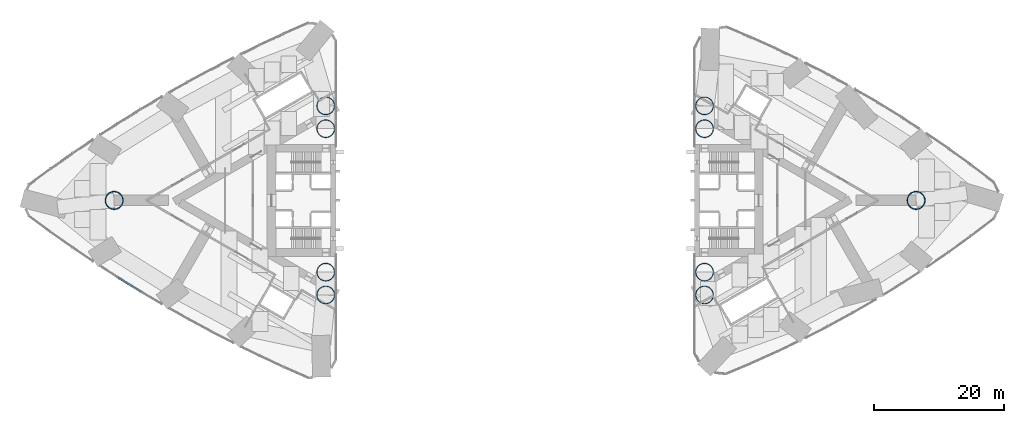
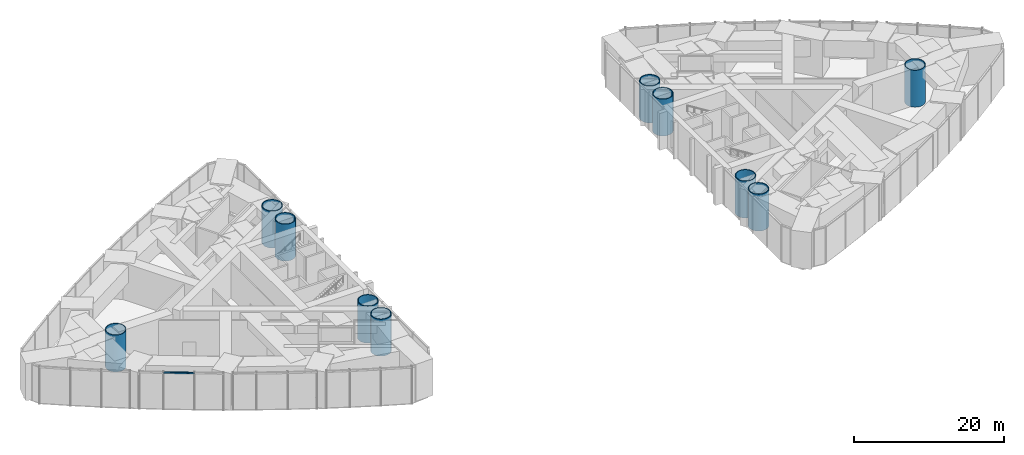
# One storey, part 1 of 18: 10 columns, 1 member, 1 element without a shape of its own.
"""IFC4 building model written with IfcOpenShell, lengths in metres."""

from ifc_helpers import new_model, si_unit, direction, frame, origin, origin_2d, place, context, subcontext, project, spatial, rectangle, hollow_circle, extrude, material, material_profile, profile_set, type_object, element, aggregate, save


model = new_model("IFC4")

# Units and contexts
model_context = context("Model", 3, precision=1e-05, world=origin(), true_north=direction((0.0, 1.0)))
body_context = subcontext(model_context, "Body", "Model", "MODEL_VIEW")
ifc_project = project(units=[si_unit("LENGTHUNIT", "METRE"), si_unit("AREAUNIT", "SQUARE_METRE"), si_unit("VOLUMEUNIT", "CUBIC_METRE"), si_unit("PLANEANGLEUNIT", "RADIAN"), si_unit("MASSUNIT", "GRAM", prefix="KILO")], contexts=[model_context])

# Site, building, storey
site_placement = place(None, origin())
site = spatial("IfcSite", under=ifc_project, at=site_placement, CompositionType="ELEMENT")
building_placement = place(site_placement, origin())
building = spatial("IfcBuilding", under=site, at=building_placement, Name="Lancet Gate Hotel", CompositionType="ELEMENT")
storey_placement = place(building_placement, frame((0.0, 0.0, 81.0)))
storey = spatial("IfcBuildingStorey", under=building, at=storey_placement, Name="L21", CompositionType="ELEMENT", Elevation=81.0)

# Columns
ifc_material_1 = material(Name="Composite filled tube, grade 460 plate, grade 80/95 fill", Category="composite")
ifc_material_profile_1 = material_profile(ifc_material_1, hollow_circle(Radius=1.39990234375, WallThickness=0.10009765625, at=origin_2d()), Name="CHS 2800x100")
ifc_profile_set_1 = profile_set([ifc_material_profile_1], Name="Composite filled tube, grade 460 plate, grade 80/95 fill")
column_type_1 = type_object("IfcColumnType", Name="Apex column CFT CHS 2800x100", PredefinedType="COLUMN", material=ifc_profile_set_1)
for number, where, z_axis, x_axis, name in (
    (1, (-61.5, 0.0, 0.0), (0.0, 0.0, 1.0), (1.0, 0.0, 0.0), "T1 column AX L21"),
    (2, (61.5, 0.0, 0.0), (0.0, 0.0, 1.0), (1.0, 0.0, 0.0), "T2 column AX L21"),
):
    element("IfcColumn", number, at=place(storey_placement, frame(where, z_axis=z_axis, x_axis=x_axis)), inside=storey, type_object=column_type_1, Name=name, PredefinedType="COLUMN", context=body_context, shape_type="SweptSolid", body=[
        extrude(hollow_circle(Radius=1.39990234375, WallThickness=0.10009765625, at=origin_2d()), origin(), (0.0, 0.0, 1.0), 6.0),
    ])
ifc_material_2 = material(Name="Composite filled tube, grade 460 plate, grade 80/95 fill", Category="composite")
ifc_material_profile_2 = material_profile(ifc_material_2, hollow_circle(Radius=1.39990234375, WallThickness=0.1201171875, at=origin_2d()), Name="CHS 2800x120")
ifc_profile_set_2 = profile_set([ifc_material_profile_2], Name="Composite filled tube, grade 460 plate, grade 80/95 fill")
column_type_2 = type_object("IfcColumnType", Name="Perimeter column CFT CHS 2800x120", PredefinedType="COLUMN", material=ifc_profile_set_2)
for number, where, z_axis, x_axis, name in (
    (3, (-29.050048828125, -11.0, 0.0), (0.0, 0.0, 1.0), (1.0, 0.0, 0.0), "T1 column IN L21"),
    (4, (-29.050048828125, 11.0, 0.0), (0.0, 0.0, 1.0), (1.0, 0.0, 0.0), "T1 column IS L21"),
    (5, (-29.050048828125, 14.5, 0.0), (0.0, 0.0, 1.0), (1.0, 0.0, 0.0), "T1 column IT L21"),
    (6, (-29.050048828125, -14.5, 0.0), (0.0, 0.0, 1.0), (1.0, 0.0, 0.0), "T1 column JT L21"),
    (7, (29.050048828125, 11.0, 0.0), (0.0, 0.0, 1.0), (1.0, 0.0, 0.0), "T2 column IN L21"),
    (8, (29.050048828125, -11.0, 0.0), (0.0, 0.0, 1.0), (1.0, 0.0, 0.0), "T2 column IS L21"),
    (9, (29.050048828125, -14.5, 0.0), (0.0, 0.0, 1.0), (1.0, 0.0, 0.0), "T2 column IT L21"),
    (10, (29.050048828125, 14.5, 0.0), (0.0, 0.0, 1.0), (1.0, 0.0, 0.0), "T2 column JT L21"),
):
    element("IfcColumn", number, at=place(storey_placement, frame(where, z_axis=z_axis, x_axis=x_axis)), inside=storey, type_object=column_type_2, Name=name, PredefinedType="COLUMN", context=body_context, shape_type="SweptSolid", body=[
        extrude(hollow_circle(Radius=1.39990234375, WallThickness=0.1201171875, at=origin_2d()), origin(), (0.0, 0.0, 1.0), 6.0),
    ])

# Curtain wall, member
ifc_material_3 = material(Name="Aluminium curtain wall", Category="aluminium")
curtain_wall_type = type_object("IfcCurtainWallType", Name="Refuge storey louvred curtain wall", PredefinedType="USERDEFINED", material=ifc_material_3)
curtain_wall_placement = place(storey_placement, origin())
curtain_wall = element("IfcCurtainWall", 11, at=curtain_wall_placement, inside=storey, type_object=curtain_wall_type, Name="T1 L21 curtain wall 7", ObjectType="LANTERN GLAZING", PredefinedType="USERDEFINED")
ifc_material_4 = material(Name="Aluminium transom", Category="aluminium")
ifc_material_profile_3 = material_profile(ifc_material_4, rectangle(XDim=0.25, YDim=0.14990234375, at=origin_2d()), Name="TRANSOM 250x150")
ifc_profile_set_3 = profile_set([ifc_material_profile_3], Name="Aluminium transom")
member_type = type_object("IfcMemberType", Name="Aluminium transom 250x150", PredefinedType="USERDEFINED", material=ifc_profile_set_3)
member_placement = place(storey_placement, frame((-60.921875, -11.813720703125, 5.925048828125), z_axis=(0.850242165643, -0.526391736032, 0.0), x_axis=(0.526391736032, 0.850242165643, 0.0)))
member = element("IfcMember", 12, at=member_placement, type_object=member_type, Name="T1 L21 curtain wall 7 transom 2", ObjectType="TRANSOM", PredefinedType="USERDEFINED", context=body_context, shape_type="SweptSolid", body=[
    extrude(rectangle(XDim=0.25, YDim=0.14990234375, at=origin_2d()), origin(), (0.0, 0.0, 1.0), 4.075439453125),
])
aggregate(curtain_wall, [member])

save(model, "model.ifc")
